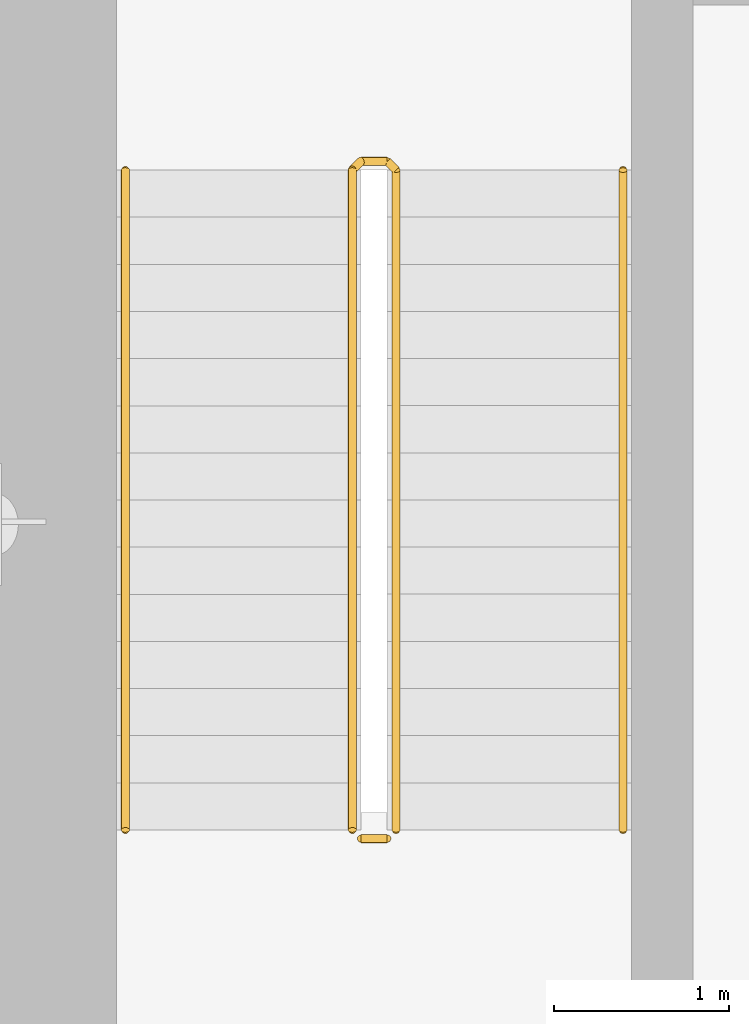
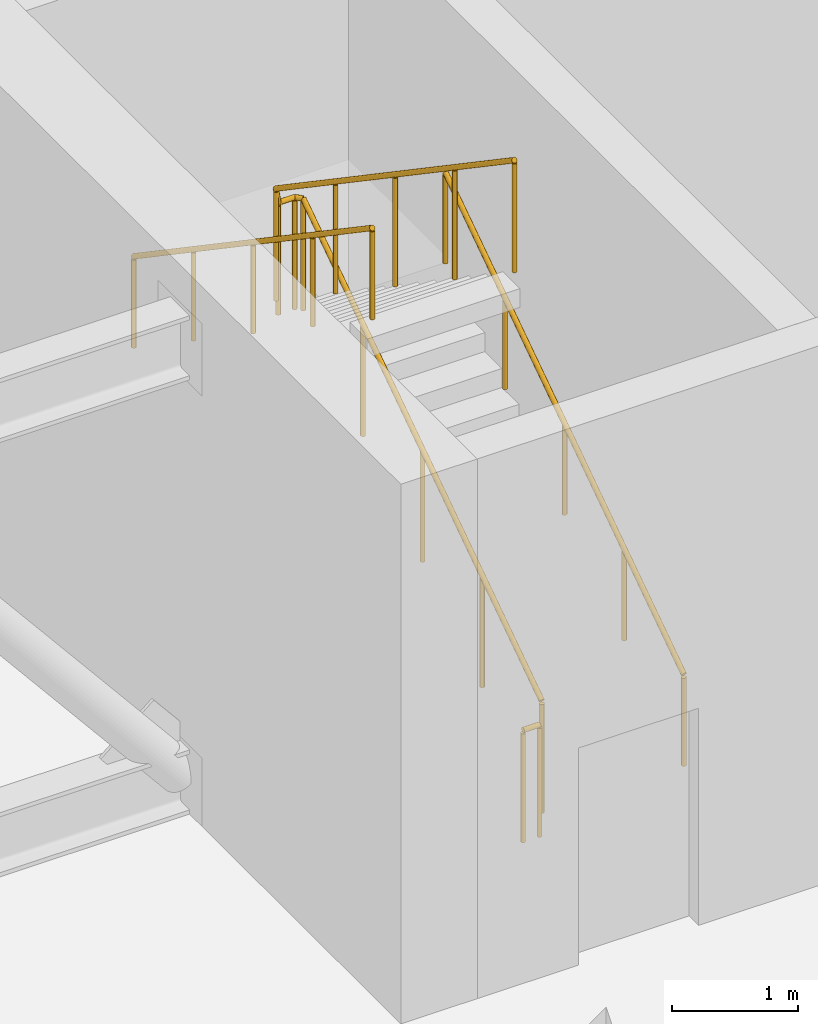
# One storey, part 15 of 20: 4 railings.
"""IFC4 building model written with IfcOpenShell, lengths in metres."""

from ifc_helpers import new_model, si_unit, direction, frame, origin, origin_2d, place, context, subcontext, project, spatial, circle, extrude, material, type_object, element, save


model = new_model("IFC4")

# Units and contexts
model_context = context("Model", 3, precision=1e-05, world=origin(), true_north=direction((0.0, 1.0)))
body_context = subcontext(model_context, "Body", "Model", "MODEL_VIEW")
ifc_project = project(units=[si_unit("LENGTHUNIT", "METRE"), si_unit("AREAUNIT", "SQUARE_METRE"), si_unit("VOLUMEUNIT", "CUBIC_METRE"), si_unit("PLANEANGLEUNIT", "RADIAN"), si_unit("MASSUNIT", "GRAM", prefix="KILO")], contexts=[model_context])

# Site, building, storey
site_placement = place(None, origin())
site = spatial("IfcSite", under=ifc_project, at=site_placement, CompositionType="ELEMENT")
building_placement = place(site_placement, origin())
building = spatial("IfcBuilding", under=site, at=building_placement, Name="Saffron Iwan Residences", CompositionType="ELEMENT")
storey_placement = place(building_placement, frame((0.0, 0.0, 206.0)))
storey = spatial("IfcBuildingStorey", under=building, at=storey_placement, Name="L55", CompositionType="ELEMENT", Elevation=206.0)

# Railings
ifc_material_1 = material(Name="Steel S355", Category="steel")
railing_type_1 = type_object("IfcRailingType", Name="Stair guard 1100", PredefinedType="GUARDRAIL", material=ifc_material_1)
railing_1_placement = place(storey_placement, frame((31.300048828125, 67.85009765625, 0.183349609375)))
element("IfcRailing", 1, at=railing_1_placement, inside=storey, type_object=railing_type_1, Name="L55 ST-W stair guard 1", PredefinedType="GUARDRAIL", context=body_context, shape_type="SweptSolid", body=[
    extrude(circle(Radius=0.02392578125, at=origin_2d()), frame((0.0, 0.0, 1.076171875), z_axis=(0.0, 0.827293068839, 0.56177057439), x_axis=(-1.0, 0.0, 0.0)), (0.0, 0.0, 1.0), 4.56884765625),
    extrude(circle(Radius=0.02392578125, at=origin_2d()), frame((0.0, 3.77978515625, 3.642578125), z_axis=(-0.707106781187, 0.707106781187, 0.0), x_axis=(-0.707106781187, -0.707106781187, 0.0)), (0.0, 0.0, 1.0), 0.07080078125),
    extrude(circle(Radius=0.02392578125, at=origin_2d()), frame((-0.050048828125, 3.829833984375, 3.642578125), z_axis=(-1.0, 0.0, 0.0), x_axis=(0.0, -1.0, 0.0)), (0.0, 0.0, 1.0), 0.14990234375),
    extrude(circle(Radius=0.02392578125, at=origin_2d()), frame((-0.199951171875, 3.829833984375, 3.642578125), z_axis=(-0.254653276557, -0.254653276557, 0.932900539971), x_axis=(0.707106781187, -0.707106781187, 0.0)), (0.0, 0.0, 1.0), 0.196533203125),
    extrude(circle(Radius=0.02392578125, at=origin_2d()), frame((-0.25, 3.77978515625, 3.826171875), z_axis=(0.0, -0.827293068839, 0.56177057439), x_axis=(1.0, 0.0, 0.0)), (0.0, 0.0, 1.0), 4.56884765625),
    extrude(circle(Radius=0.02099609375, at=origin_2d()), origin(), (0.0, 0.0, 1.0), 1.052001953125),
    extrude(circle(Radius=0.02099609375, at=origin_2d()), frame((0.0, 0.94482421875, 0.6416015625)), (0.0, 0.0, 1.0), 1.052001953125),
    extrude(circle(Radius=0.02099609375, at=origin_2d()), frame((0.0, 1.889892578125, 1.283203125)), (0.0, 0.0, 1.0), 1.052001953125),
    extrude(circle(Radius=0.02099609375, at=origin_2d()), frame((0.0, 2.8349609375, 1.925048828125)), (0.0, 0.0, 1.0), 1.052001953125),
    extrude(circle(Radius=0.02099609375, at=origin_2d()), frame((0.0, 3.77978515625, 2.566650390625)), (0.0, 0.0, 1.0), 1.052001953125),
    extrude(circle(Radius=0.02099609375, at=origin_2d()), frame((-0.050048828125, 3.829833984375, 2.566650390625)), (0.0, 0.0, 1.0), 1.052001953125),
    extrude(circle(Radius=0.02099609375, at=origin_2d()), frame((-0.199951171875, 3.829833984375, 2.566650390625)), (0.0, 0.0, 1.0), 1.052001953125),
    extrude(circle(Radius=0.02099609375, at=origin_2d()), frame((-0.25, 3.77978515625, 2.75)), (0.0, 0.0, 1.0), 1.052001953125),
    extrude(circle(Radius=0.02099609375, at=origin_2d()), frame((-0.25, 2.8349609375, 3.3916015625)), (0.0, 0.0, 1.0), 1.052001953125),
    extrude(circle(Radius=0.02099609375, at=origin_2d()), frame((-0.25, 1.889892578125, 4.033203125)), (0.0, 0.0, 1.0), 1.052001953125),
    extrude(circle(Radius=0.02099609375, at=origin_2d()), frame((-0.25, 0.94482421875, 4.675048828125)), (0.0, 0.0, 1.0), 1.052001953125),
    extrude(circle(Radius=0.02099609375, at=origin_2d()), frame((-0.25, 0.0, 5.316650390625)), (0.0, 0.0, 1.0), 1.052001953125),
])
railing_2_placement = place(storey_placement, frame((31.25, 67.800048828125, 0.0)))
element("IfcRailing", 2, at=railing_2_placement, inside=storey, type_object=railing_type_1, Name="L55 ST-W stair guard 2", PredefinedType="GUARDRAIL", context=body_context, shape_type="SweptSolid", body=[
    extrude(circle(Radius=0.02392578125, at=origin_2d()), frame((0.0, 0.0, 1.076171875), z_axis=(-1.0, 0.0, 0.0), x_axis=(0.0, -1.0, 0.0)), (0.0, 0.0, 1.0), 0.14990234375),
    extrude(circle(Radius=0.02099609375, at=origin_2d()), origin(), (0.0, 0.0, 1.0), 1.052001953125),
    extrude(circle(Radius=0.02099609375, at=origin_2d()), frame((-0.14990234375, 0.0, 0.0)), (0.0, 0.0, 1.0), 1.052001953125),
])
ifc_material_2 = material(Name="Stainless steel 316", Category="steel")
railing_type_2 = type_object("IfcRailingType", Name="Stair handrail 900", PredefinedType="HANDRAIL", material=ifc_material_2)
railing_3_placement = place(storey_placement, frame((32.60009765625, 67.85009765625, 0.183349609375)))
element("IfcRailing", 3, at=railing_3_placement, inside=storey, type_object=railing_type_2, Name="L55 ST-W stair handrail 1", PredefinedType="HANDRAIL", context=body_context, shape_type="SweptSolid", body=[
    extrude(circle(Radius=0.02392578125, at=origin_2d()), frame((0.0, 0.0, 0.8759765625), z_axis=(0.0, 0.827293068839, 0.56177057439), x_axis=(-1.0, 0.0, 0.0)), (0.0, 0.0, 1.0), 4.56884765625),
    extrude(circle(Radius=0.02099609375, at=origin_2d()), origin(), (0.0, 0.0, 1.0), 0.851806640625),
    extrude(circle(Radius=0.02099609375, at=origin_2d()), frame((0.0, 0.94482421875, 0.6416015625)), (0.0, 0.0, 1.0), 0.851806640625),
    extrude(circle(Radius=0.02099609375, at=origin_2d()), frame((0.0, 1.889892578125, 1.283203125)), (0.0, 0.0, 1.0), 0.851806640625),
    extrude(circle(Radius=0.02099609375, at=origin_2d()), frame((0.0, 2.8349609375, 1.925048828125)), (0.0, 0.0, 1.0), 0.851806640625),
    extrude(circle(Radius=0.02099609375, at=origin_2d()), frame((0.0, 3.77978515625, 2.566650390625)), (0.0, 0.0, 1.0), 0.851806640625),
])
railing_4_placement = place(storey_placement, frame((29.75, 71.6298828125, 2.933349609375)))
element("IfcRailing", 4, at=railing_4_placement, inside=storey, type_object=railing_type_2, Name="L55 ST-W stair handrail 2", PredefinedType="HANDRAIL", context=body_context, shape_type="SweptSolid", body=[
    extrude(circle(Radius=0.02392578125, at=origin_2d()), frame((0.0, 0.0, 0.8759765625), z_axis=(0.0, -0.827293068839, 0.56177057439), x_axis=(1.0, 0.0, 0.0)), (0.0, 0.0, 1.0), 4.56884765625),
    extrude(circle(Radius=0.02099609375, at=origin_2d()), origin(), (0.0, 0.0, 1.0), 0.851806640625),
    extrude(circle(Radius=0.02099609375, at=origin_2d()), frame((0.0, -0.94482421875, 0.6416015625)), (0.0, 0.0, 1.0), 0.851806640625),
    extrude(circle(Radius=0.02099609375, at=origin_2d()), frame((0.0, -1.889892578125, 1.283203125)), (0.0, 0.0, 1.0), 0.851806640625),
    extrude(circle(Radius=0.02099609375, at=origin_2d()), frame((0.0, -2.8349609375, 1.925048828125)), (0.0, 0.0, 1.0), 0.851806640625),
    extrude(circle(Radius=0.02099609375, at=origin_2d()), frame((0.0, -3.77978515625, 2.566650390625)), (0.0, 0.0, 1.0), 0.851806640625),
])

save(model, "model.ifc")
